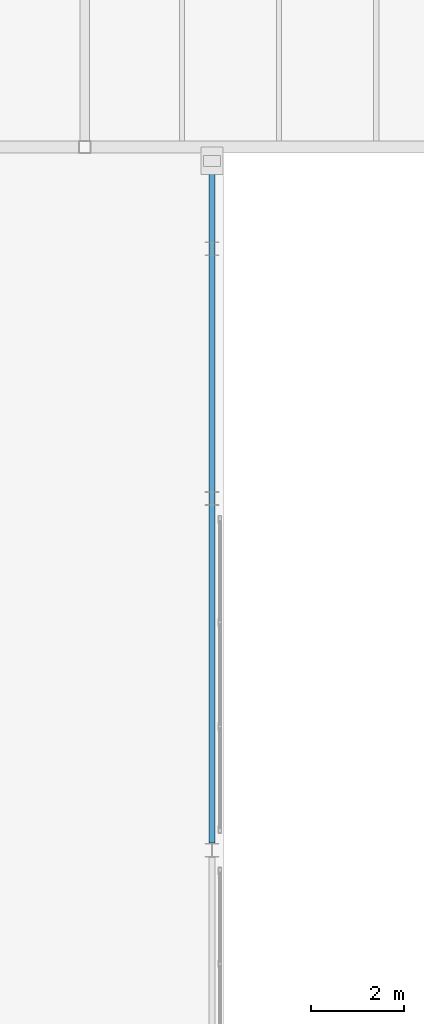
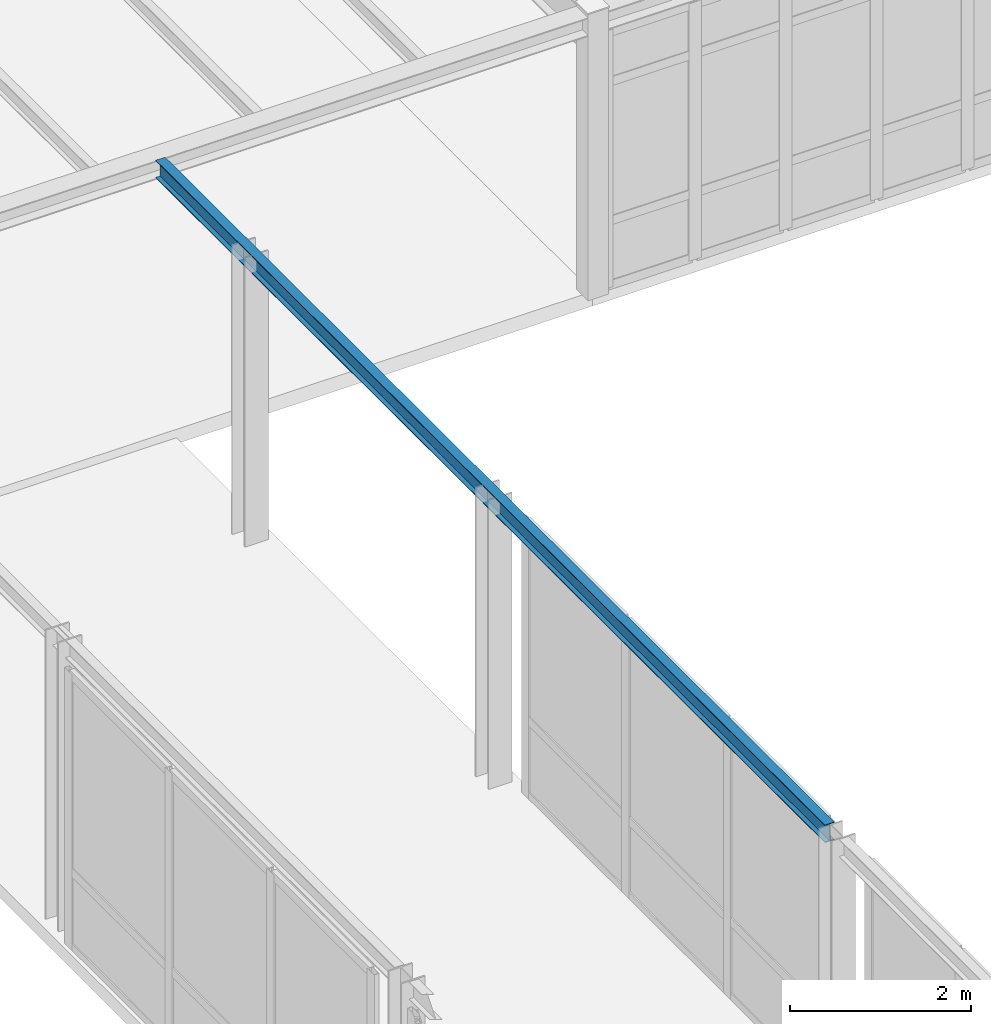
# One storey, part 90 of 189: 1 beam.
"""IFC4 building model written with IfcOpenShell, lengths in metres."""

from ifc_helpers import new_model, si_unit, direction, frame, origin, origin_2d, place, context, subcontext, project, spatial, i_section, extrude, material, material_profile, profile_set, type_object, element, save


model = new_model("IFC4")

# Units and contexts
model_context = context("Model", 3, precision=1e-05, world=origin(), true_north=direction((0.0, 1.0)))
body_context = subcontext(model_context, "Body", "Model", "MODEL_VIEW")
ifc_project = project(units=[si_unit("LENGTHUNIT", "METRE"), si_unit("AREAUNIT", "SQUARE_METRE"), si_unit("VOLUMEUNIT", "CUBIC_METRE"), si_unit("PLANEANGLEUNIT", "RADIAN"), si_unit("MASSUNIT", "GRAM", prefix="KILO")], contexts=[model_context])

# Site, building, storey
site_placement = place(None, origin())
site = spatial("IfcSite", under=ifc_project, at=site_placement, CompositionType="ELEMENT")
building_placement = place(site_placement, origin())
building = spatial("IfcBuilding", under=site, at=building_placement, Name="Montecoro Central Library", CompositionType="ELEMENT")
storey_placement = place(building_placement, frame((0.0, 0.0, 9.179931640625)))
storey = spatial("IfcBuildingStorey", under=building, at=storey_placement, Name="L02", CompositionType="ELEMENT", Elevation=9.179931640625)

# Beam
ifc_material = material(Name="Steel S355", Category="steel")
ifc_material_profile = material_profile(ifc_material, i_section(OverallWidth=0.1201171875, OverallDepth=0.239990234375, WebThickness=0.006103515625, FlangeThickness=0.009765625, at=origin_2d()), Name="IPE 240")
ifc_profile_set = profile_set([ifc_material_profile], Name="Steel S355")
beam_type = type_object("IfcBeamType", Name="BM-SP-IPE240", PredefinedType="SPANDREL", material=ifc_profile_set)
beam_placement = place(storey_placement, frame((94.35009765625, 65.9599609375, 3.7880859375), z_axis=(0.0, 1.0, 0.0), x_axis=(-1.0, 0.0, 0.0)))
element("IfcBeam", 1, at=beam_placement, inside=storey, type_object=beam_type, Name="BR-N-ROOF-BM-E2", PredefinedType="SPANDREL", context=body_context, shape_type="SweptSolid", body=[
    extrude(i_section(OverallWidth=0.1201171875, OverallDepth=0.239990234375, WebThickness=0.006103515625, FlangeThickness=0.009765625, at=origin_2d()), origin(), (0.0, 0.0, 1.0), 14.820068359375),
])

save(model, "model.ifc")
